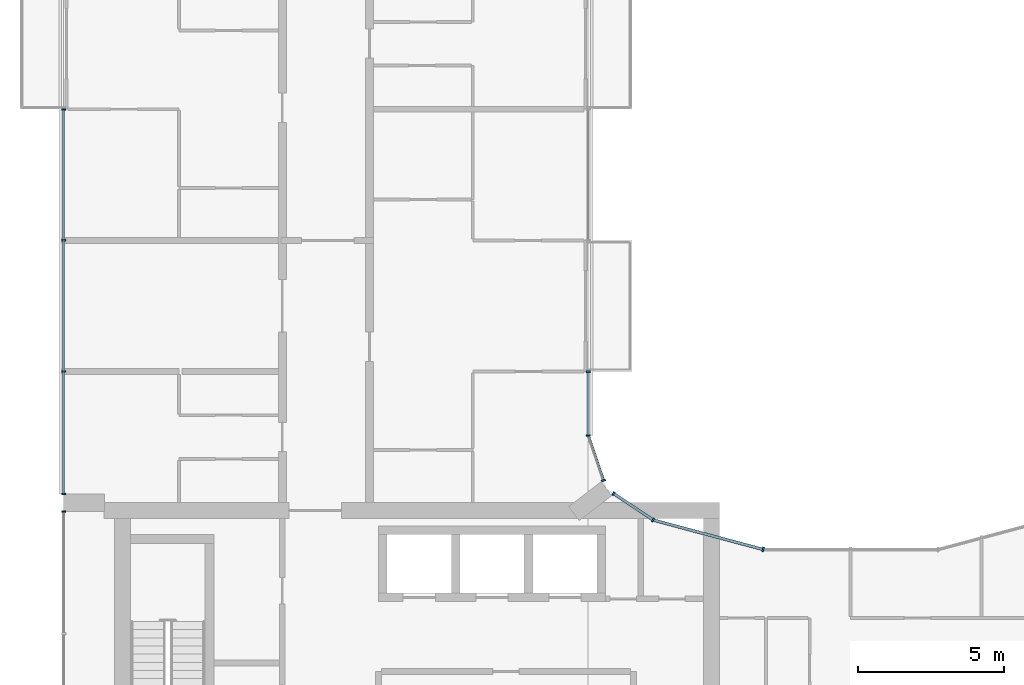
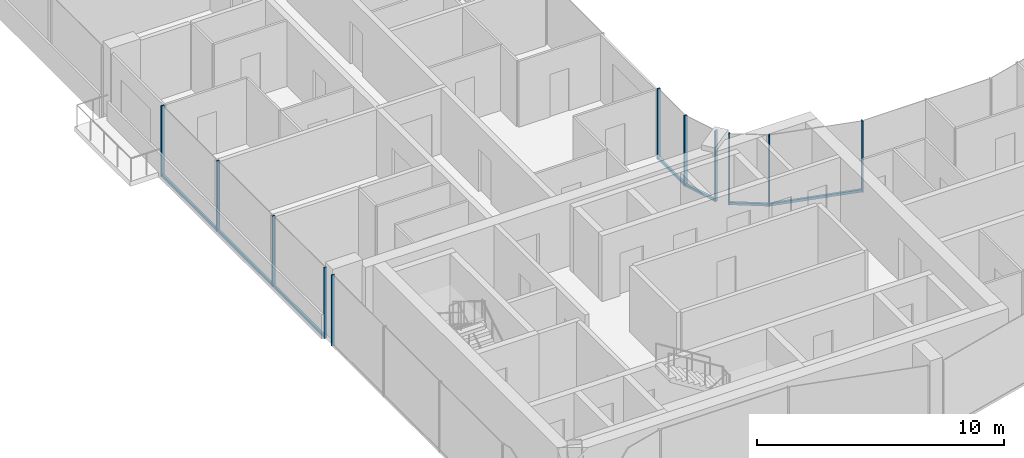
# One storey, part 4 of 15: 16 members, 6 elements without a shape of their own.
"""IFC4 building model written with IfcOpenShell, lengths in metres."""

from ifc_helpers import new_model, si_unit, direction, frame, origin, origin_2d, place, context, subcontext, project, spatial, rectangle, extrude, material, layer, layer_set, material_profile, profile_set, type_object, element, aggregate, save


model = new_model("IFC4")

# Units and contexts
model_context = context("Model", 3, precision=1e-05, world=origin(), true_north=direction((0.0, 1.0)))
body_context = subcontext(model_context, "Body", "Model", "MODEL_VIEW")
ifc_project = project(units=[si_unit("LENGTHUNIT", "METRE"), si_unit("AREAUNIT", "SQUARE_METRE"), si_unit("VOLUMEUNIT", "CUBIC_METRE"), si_unit("PLANEANGLEUNIT", "RADIAN"), si_unit("MASSUNIT", "GRAM", prefix="KILO")], contexts=[model_context])

# Site, building, storey
site_placement = place(None, origin())
site = spatial("IfcSite", under=ifc_project, at=site_placement, CompositionType="ELEMENT")
building_placement = place(site_placement, origin())
building = spatial("IfcBuilding", under=site, at=building_placement, Name="Plateau Cross Towers", CompositionType="ELEMENT")
storey_placement = place(building_placement, frame((0.0, 0.0, 208.39990234375)))
storey = spatial("IfcBuildingStorey", under=building, at=storey_placement, Name="L54", CompositionType="ELEMENT", Elevation=208.39990234375)

# Curtain wall, members
ifc_material_1 = material(Name="Dark low-iron glass", Category="glass")
ifc_layer_1 = layer(ifc_material_1, 0.239990234375)
ifc_layer_set_1 = layer_set([ifc_layer_1], Name="Dark low-iron glass")
curtain_wall_type_1 = type_object("IfcCurtainWallType", Name="Curtain wall flush unitised CW-B", PredefinedType="NOTDEFINED", material=ifc_layer_set_1)
curtain_wall_1_placement = place(storey_placement, origin())
curtain_wall_1 = element("IfcCurtainWall", 1, at=curtain_wall_1_placement, inside=storey, type_object=curtain_wall_type_1, Name="ENV/A/L54/A202_174", PredefinedType="NOTDEFINED")
ifc_material_2 = material(Name="Black anodised aluminium", Category="aluminium")
ifc_material_profile_1 = material_profile(ifc_material_2, rectangle(XDim=0.06005859375, YDim=0.139892578125, at=origin_2d()), Name="MULLION 60x140")
ifc_profile_set_1 = profile_set([ifc_material_profile_1], Name="Black anodised aluminium")
member_type_1 = type_object("IfcMemberType", Name="Mullion 60x140 flush unitised", PredefinedType="MULLION", material=ifc_profile_set_1)
member_1_placement = place(storey_placement, frame((20.223876953125, 17.404296875, -0.25), z_axis=(0.0, 0.0, 1.0), x_axis=(-0.831521253329, 0.555492938984, 0.0)))
member_1 = element("IfcMember", 2, at=member_1_placement, type_object=member_type_1, Name="CW-B mullion 1", PredefinedType="MULLION", context=body_context, shape_type="SweptSolid", body=[
    extrude(rectangle(XDim=0.06005859375, YDim=0.139892578125, at=origin_2d()), origin(), (0.0, 0.0, 1.0), 3.5),
])
member_2_placement = place(storey_placement, frame((18.86962890625, 18.30908203125, -0.25), z_axis=(0.0, 0.0, 1.0), x_axis=(-0.831521253329, 0.555492938984, 0.0)))
member_2 = element("IfcMember", 3, at=member_2_placement, type_object=member_type_1, Name="CW-B mullion 2", PredefinedType="MULLION", context=body_context, shape_type="SweptSolid", body=[
    extrude(rectangle(XDim=0.06005859375, YDim=0.139892578125, at=origin_2d()), origin(), (0.0, 0.0, 1.0), 3.5),
])

# Curtain wall, member
curtain_wall_2_placement = place(storey_placement, origin())
curtain_wall_2 = element("IfcCurtainWall", 4, at=curtain_wall_2_placement, inside=storey, type_object=curtain_wall_type_1, Name="ENV/A/L54/A185_188", PredefinedType="NOTDEFINED")
member_3_placement = place(storey_placement, frame((18.523681640625, 18.760009765625, -0.25), z_axis=(0.0, 0.0, 1.0), x_axis=(-0.321469161574, 0.94692004845, 0.0)))
member_3 = element("IfcMember", 5, at=member_3_placement, type_object=member_type_1, Name="CW-B mullion 1", PredefinedType="MULLION", context=body_context, shape_type="SweptSolid", body=[
    extrude(rectangle(XDim=0.06005859375, YDim=0.139892578125, at=origin_2d()), origin(), (0.0, 0.0, 1.0), 3.5),
])

# Curtain wall, members
curtain_wall_3_placement = place(storey_placement, origin())
curtain_wall_3 = element("IfcCurtainWall", 6, at=curtain_wall_3_placement, inside=storey, type_object=curtain_wall_type_1, Name="ENV/A/L54/A180_203", PredefinedType="NOTDEFINED")
member_4_placement = place(storey_placement, frame((18.0, 20.30224609375, -0.25), z_axis=(0.0, 0.0, 1.0), x_axis=(0.0, 1.0, 0.0)))
member_4 = element("IfcMember", 7, at=member_4_placement, type_object=member_type_1, Name="CW-B mullion 1", PredefinedType="MULLION", context=body_context, shape_type="SweptSolid", body=[
    extrude(rectangle(XDim=0.06005859375, YDim=0.139892578125, at=origin_2d()), origin(), (0.0, 0.0, 1.0), 3.5),
])
member_5_placement = place(storey_placement, frame((18.0, 22.489990234375, -0.25), z_axis=(0.0, 0.0, 1.0), x_axis=(0.0, 1.0, 0.0)))
member_5 = element("IfcMember", 8, at=member_5_placement, type_object=member_type_1, Name="CW-B mullion 2", PredefinedType="MULLION", context=body_context, shape_type="SweptSolid", body=[
    extrude(rectangle(XDim=0.06005859375, YDim=0.139892578125, at=origin_2d()), origin(), (0.0, 0.0, 1.0), 3.5),
])

curtain_wall_4_placement = place(storey_placement, origin())
curtain_wall_4 = element("IfcCurtainWall", 9, at=curtain_wall_4_placement, inside=storey, type_object=curtain_wall_type_1, Name="ENV/A/L54/A0_315", PredefinedType="NOTDEFINED")
member_6_placement = place(storey_placement, frame((0.0, 31.489990234375, -0.25), z_axis=(0.0, 0.0, 1.0), x_axis=(0.0, -1.0, 0.0)))
member_6 = element("IfcMember", 10, at=member_6_placement, type_object=member_type_1, Name="CW-B mullion 1", PredefinedType="MULLION", context=body_context, shape_type="SweptSolid", body=[
    extrude(rectangle(XDim=0.06005859375, YDim=0.139892578125, at=origin_2d()), origin(), (0.0, 0.0, 1.0), 3.5),
])
member_7_placement = place(storey_placement, frame((0.0, 27.0, -0.25), z_axis=(0.0, 0.0, 1.0), x_axis=(0.0, -1.0, 0.0)))
member_7 = element("IfcMember", 11, at=member_7_placement, type_object=member_type_1, Name="CW-B mullion 2", PredefinedType="MULLION", context=body_context, shape_type="SweptSolid", body=[
    extrude(rectangle(XDim=0.06005859375, YDim=0.139892578125, at=origin_2d()), origin(), (0.0, 0.0, 1.0), 3.5),
])
member_8_placement = place(storey_placement, frame((0.0, 22.5, -0.25), z_axis=(0.0, 0.0, 1.0), x_axis=(0.0, -1.0, 0.0)))
member_8 = element("IfcMember", 12, at=member_8_placement, type_object=member_type_1, Name="CW-B mullion 3", PredefinedType="MULLION", context=body_context, shape_type="SweptSolid", body=[
    extrude(rectangle(XDim=0.06005859375, YDim=0.139892578125, at=origin_2d()), origin(), (0.0, 0.0, 1.0), 3.5),
])
member_9_placement = place(storey_placement, frame((0.0, 18.300048828125, -0.25), z_axis=(0.0, 0.0, 1.0), x_axis=(0.0, -1.0, 0.0)))
member_9 = element("IfcMember", 13, at=member_9_placement, type_object=member_type_1, Name="CW-B mullion 4", PredefinedType="MULLION", context=body_context, shape_type="SweptSolid", body=[
    extrude(rectangle(XDim=0.06005859375, YDim=0.139892578125, at=origin_2d()), origin(), (0.0, 0.0, 1.0), 3.5),
])

# Curtain wall, member
curtain_wall_5_placement = place(storey_placement, origin())
curtain_wall_5 = element("IfcCurtainWall", 14, at=curtain_wall_5_placement, inside=storey, type_object=curtain_wall_type_1, Name="ENV/A/L54/A0_177", PredefinedType="NOTDEFINED")
member_10_placement = place(storey_placement, frame((0.0, 17.699951171875, -0.25), z_axis=(0.0, 0.0, 1.0), x_axis=(0.0, -1.0, 0.0)))
member_10 = element("IfcMember", 15, at=member_10_placement, type_object=member_type_1, Name="CW-B mullion 1", PredefinedType="MULLION", context=body_context, shape_type="SweptSolid", body=[
    extrude(rectangle(XDim=0.06005859375, YDim=0.139892578125, at=origin_2d()), origin(), (0.0, 0.0, 1.0), 3.5),
])
aggregate(curtain_wall_5, [member_10])

ifc_layer_2 = layer(ifc_material_1, 0.260009765625)
ifc_layer_set_2 = layer_set([ifc_layer_2], Name="Dark low-iron glass")
curtain_wall_type_2 = type_object("IfcCurtainWallType", Name="Curtain wall fluted unitised CW-A", PredefinedType="NOTDEFINED", material=ifc_layer_set_2)
curtain_wall_6_placement = place(storey_placement, origin())
curtain_wall_6 = element("IfcCurtainWall", 16, at=curtain_wall_6_placement, inside=storey, type_object=curtain_wall_type_2, Name="ENV/A/L54/A240_164", PredefinedType="NOTDEFINED")
ifc_material_profile_2 = material_profile(ifc_material_2, rectangle(XDim=0.06005859375, YDim=0.159912109375, at=origin_2d()), Name="MULLION 60x160")
ifc_profile_set_2 = profile_set([ifc_material_profile_2], Name="Black anodised aluminium")
member_type_2 = type_object("IfcMemberType", Name="Mullion 60x160 fluted unitised", PredefinedType="MULLION", material=ifc_profile_set_2)
member_11_placement = place(storey_placement, frame((24.0, 16.39306640625, -0.25), z_axis=(0.0, 0.0, 1.0), x_axis=(-0.965957995816, 0.258698956933, 0.0)))
member_11 = element("IfcMember", 17, at=member_11_placement, type_object=member_type_2, Name="CW-A mullion 1", PredefinedType="MULLION", context=body_context, shape_type="SweptSolid", body=[
    extrude(rectangle(XDim=0.06005859375, YDim=0.159912109375, at=origin_2d()), origin(), (0.0, 0.0, 1.0), 3.5),
])

# Member
ifc_material_profile_3 = material_profile(ifc_material_2, rectangle(XDim=0.10009765625, YDim=0.1201171875, at=origin_2d()), Name="TRANSOM 100x120")
ifc_profile_set_3 = profile_set([ifc_material_profile_3], Name="Black anodised aluminium")
member_type_3 = type_object("IfcMemberType", Name="Transom 100x120 flush unitised", PredefinedType="USERDEFINED", material=ifc_profile_set_3)
member_12_placement = place(storey_placement, frame((20.223876953125, 17.404296875, -0.18994140625), z_axis=(-0.831496402487, 0.555530136582, 0.0), x_axis=(-0.555530136582, -0.831496402487, 0.0)))
member_12 = element("IfcMember", 18, at=member_12_placement, type_object=member_type_3, Name="CW-B transom", ObjectType="TRANSOM", PredefinedType="USERDEFINED", context=body_context, shape_type="SweptSolid", body=[
    extrude(rectangle(XDim=0.10009765625, YDim=0.1201171875, at=origin_2d()), origin(), (0.0, 0.0, 1.0), 1.628662109375),
])

aggregate(curtain_wall_1, [member_1, member_2, member_12])

member_13_placement = place(storey_placement, frame((18.523681640625, 18.760009765625, -0.18994140625), z_axis=(-0.321529174838, 0.946899672472, 0.0), x_axis=(-0.946899672472, -0.321529174838, 0.0)))
member_13 = element("IfcMember", 19, at=member_13_placement, type_object=member_type_3, Name="CW-B transom", ObjectType="TRANSOM", PredefinedType="USERDEFINED", context=body_context, shape_type="SweptSolid", body=[
    extrude(rectangle(XDim=0.10009765625, YDim=0.1201171875, at=origin_2d()), origin(), (0.0, 0.0, 1.0), 1.628662109375),
])

aggregate(curtain_wall_2, [member_3, member_13])

member_14_placement = place(storey_placement, frame((18.0, 20.30224609375, -0.18994140625), z_axis=(0.0, 1.0, 0.0), x_axis=(-1.0, 0.0, 0.0)))
member_14 = element("IfcMember", 20, at=member_14_placement, type_object=member_type_3, Name="CW-B transom", ObjectType="TRANSOM", PredefinedType="USERDEFINED", context=body_context, shape_type="SweptSolid", body=[
    extrude(rectangle(XDim=0.10009765625, YDim=0.1201171875, at=origin_2d()), origin(), (0.0, 0.0, 1.0), 2.187744140625),
])

aggregate(curtain_wall_3, [member_4, member_5, member_14])

member_15_placement = place(storey_placement, frame((0.0, 31.489990234375, -0.18994140625), z_axis=(0.0, -1.0, 0.0), x_axis=(1.0, 0.0, 0.0)))
member_15 = element("IfcMember", 21, at=member_15_placement, type_object=member_type_3, Name="CW-B transom", ObjectType="TRANSOM", PredefinedType="USERDEFINED", context=body_context, shape_type="SweptSolid", body=[
    extrude(rectangle(XDim=0.10009765625, YDim=0.1201171875, at=origin_2d()), origin(), (0.0, 0.0, 1.0), 13.18994140625),
])

aggregate(curtain_wall_4, [member_6, member_7, member_8, member_9, member_15])

ifc_material_profile_4 = material_profile(ifc_material_2, rectangle(XDim=0.10009765625, YDim=0.1201171875, at=origin_2d()), Name="TRANSOM 100x120")
ifc_profile_set_4 = profile_set([ifc_material_profile_4], Name="Black anodised aluminium")
member_type_4 = type_object("IfcMemberType", Name="Transom 100x120 fluted unitised", PredefinedType="USERDEFINED", material=ifc_profile_set_4)
member_16_placement = place(storey_placement, frame((24.0, 16.39306640625, -0.18994140625), z_axis=(-0.965962822393, 0.25868093427, 0.0), x_axis=(-0.25868093427, -0.965962822393, 0.0)))
member_16 = element("IfcMember", 22, at=member_16_placement, type_object=member_type_4, Name="CW-A transom", ObjectType="TRANSOM", PredefinedType="USERDEFINED", context=body_context, shape_type="SweptSolid", body=[
    extrude(rectangle(XDim=0.10009765625, YDim=0.1201171875, at=origin_2d()), origin(), (0.0, 0.0, 1.0), 3.9091796875),
])

aggregate(curtain_wall_6, [member_11, member_16])

save(model, "model.ifc")
